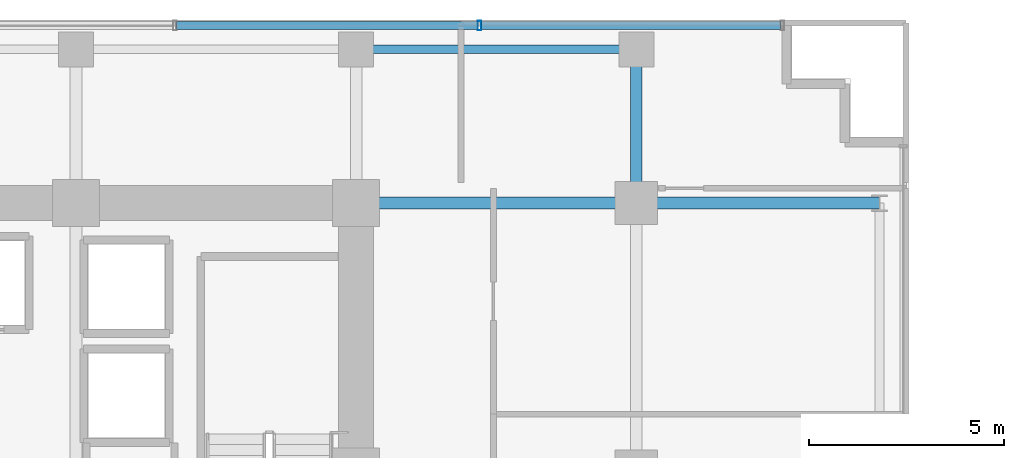
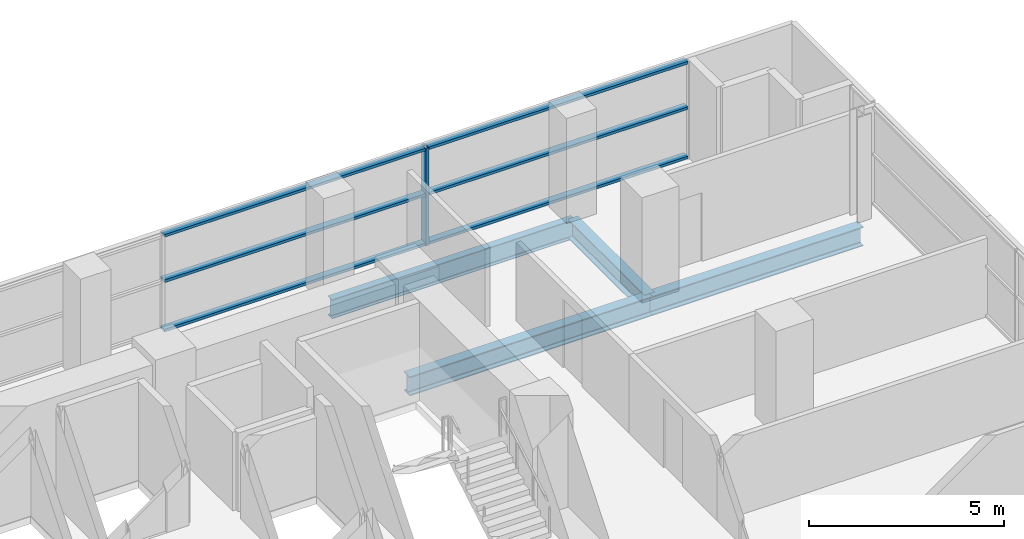
# One storey, part 19 of 30: 7 members, 4 beams, 1 element without a shape of its own.
"""IFC4 building model written with IfcOpenShell, lengths in metres."""

from ifc_helpers import new_model, si_unit, direction, frame, origin, origin_2d, place, context, subcontext, project, spatial, hollow_rectangle, i_section, extrude, source, transform, mapped, material, layer, layer_set, material_profile, profile_set, type_object, element, aggregate, save


model = new_model("IFC4")

# Units and contexts
model_context = context("Model", 3, precision=1e-05, world=origin(), true_north=direction((0.0, 1.0)))
body_context = subcontext(model_context, "Body", "Model", "MODEL_VIEW")
ifc_project = project(units=[si_unit("LENGTHUNIT", "METRE"), si_unit("AREAUNIT", "SQUARE_METRE"), si_unit("VOLUMEUNIT", "CUBIC_METRE"), si_unit("PLANEANGLEUNIT", "RADIAN"), si_unit("MASSUNIT", "GRAM", prefix="KILO")], contexts=[model_context])

# Site, building, storey
site_placement = place(None, origin())
site = spatial("IfcSite", under=ifc_project, at=site_placement, CompositionType="ELEMENT")
building_placement = place(site_placement, origin())
building = spatial("IfcBuilding", under=site, at=building_placement, Name="Zarnakvel Exchange Tower", CompositionType="ELEMENT")
storey_placement = place(building_placement, frame((0.0, 0.0, 43.89990234375)))
storey = spatial("IfcBuildingStorey", under=building, at=storey_placement, Name="L11", CompositionType="ELEMENT", Elevation=43.89990234375)

# Beams
ifc_material_1 = material(Name="Steel S355", Category="steel")
ifc_material_profile_1 = material_profile(ifc_material_1, i_section(OverallWidth=0.300048828125, OverallDepth=0.60009765625, WebThickness=0.015380859375, FlangeThickness=0.030029296875, FilletRadius=0.027099609375, at=origin_2d()))
ifc_profile_set_1 = profile_set([ifc_material_profile_1], Name="Steel S355")
beam_type_1 = type_object("IfcBeamType", Name="G-04", PredefinedType="BEAM", material=ifc_profile_set_1)
beam_1_placement = place(storey_placement, frame((14.39990234375, 13.5, -0.52490234375), z_axis=(1.0, 0.0, 0.0), x_axis=(0.0, 1.0, 0.0)))
element("IfcBeam", 1, at=beam_1_placement, inside=storey, type_object=beam_type_1, Name="L11 Tower E-W Frame Beam", PredefinedType="BEAM", context=body_context, shape_type="SweptSolid", body=[
    extrude(i_section(OverallWidth=0.300048828125, OverallDepth=0.60009765625, WebThickness=0.015380859375, FlangeThickness=0.030029296875, FilletRadius=0.027099609375, at=origin_2d()), origin(), (0.0, 0.0, 1.0), 7.2001953125),
])
beam_2_placement = place(storey_placement, frame((21.60009765625, 13.5, -0.52490234375), z_axis=(1.0, 0.0, 0.0), x_axis=(0.0, 1.0, 0.0)))
element("IfcBeam", 2, at=beam_2_placement, inside=storey, type_object=beam_type_1, Name="L11 Tower E-W Frame Beam", PredefinedType="BEAM", context=body_context, shape_type="SweptSolid", body=[
    extrude(i_section(OverallWidth=0.300048828125, OverallDepth=0.60009765625, WebThickness=0.015380859375, FlangeThickness=0.030029296875, FilletRadius=0.027099609375, at=origin_2d()), origin(), (0.0, 0.0, 1.0), 6.25),
])
beam_3_placement = place(storey_placement, frame((21.60009765625, 13.5, -0.52490234375), z_axis=(0.0, 1.0, 0.0), x_axis=(-1.0, 0.0, 0.0)))
element("IfcBeam", 3, at=beam_3_placement, inside=storey, type_object=beam_type_1, Name="L11 Tower N-S Frame Beam", PredefinedType="BEAM", context=body_context, shape_type="SweptSolid", body=[
    extrude(i_section(OverallWidth=0.300048828125, OverallDepth=0.60009765625, WebThickness=0.015380859375, FlangeThickness=0.030029296875, FilletRadius=0.027099609375, at=origin_2d()), origin(), (0.0, 0.0, 1.0), 3.949951171875),
])
ifc_material_profile_2 = material_profile(ifc_material_1, i_section(OverallWidth=0.219970703125, OverallDepth=0.60009765625, WebThickness=0.011962890625, FlangeThickness=0.01904296875, FilletRadius=0.02392578125, at=origin_2d()))
ifc_profile_set_2 = profile_set([ifc_material_profile_2], Name="Steel S355")
beam_type_2 = type_object("IfcBeamType", Name="SP-01", PredefinedType="SPANDREL", material=ifc_profile_set_2)
beam_4_placement = place(storey_placement, frame((14.39990234375, 17.449951171875, -0.52490234375), z_axis=(1.0, 0.0, 0.0), x_axis=(0.0, 1.0, 0.0)))
element("IfcBeam", 4, at=beam_4_placement, inside=storey, type_object=beam_type_2, Name="L11 Tower E-W Frame Beam", PredefinedType="SPANDREL", context=body_context, shape_type="SweptSolid", body=[
    extrude(i_section(OverallWidth=0.219970703125, OverallDepth=0.60009765625, WebThickness=0.011962890625, FlangeThickness=0.01904296875, FilletRadius=0.02392578125, at=origin_2d()), origin(), (0.0, 0.0, 1.0), 7.2001953125),
])

# Curtain wall, members
ifc_material_2 = material(Name="Architectural Bronze Anodised Aluminium", Category="aluminium")
ifc_layer = layer(ifc_material_2, 0.239990234375)
ifc_layer_set = layer_set([ifc_layer], Name="Architectural Bronze Anodised Aluminium")
curtain_wall_type = type_object("IfcCurtainWallType", Name="CW-02", PredefinedType="NOTDEFINED", material=ifc_layer_set)
curtain_wall_placement = place(storey_placement, origin())
curtain_wall = element("IfcCurtainWall", 5, at=curtain_wall_placement, inside=storey, type_object=curtain_wall_type, Name="L11 Curtain Wall CW-L11-N1 (CW-02)", PredefinedType="NOTDEFINED")
ifc_material_profile_3 = material_profile(ifc_material_2, hollow_rectangle(XDim=0.239990234375, YDim=0.090087890625, WallThickness=0.006103515625, at=origin_2d()))
ifc_profile_set_3 = profile_set([ifc_material_profile_3], Name="Architectural Bronze Anodised Aluminium")
member_type_1 = type_object("IfcMemberType", Name="CWM-02", PredefinedType="MULLION", material=ifc_profile_set_3)
shared_shape_1 = source(origin(), body_context, "Body", "SweptSolid", [
    extrude(hollow_rectangle(XDim=0.239990234375, YDim=0.090087890625, WallThickness=0.006103515625, at=origin_2d()), origin(), (0.0, 0.0, 1.0), 3.05517578125),
])
member_1_placement = place(storey_placement, frame((17.571533203125, 18.06005859375, 0.0), z_axis=(0.0, 0.0, 1.0), x_axis=(0.0, 1.0, 0.0)))
member_1 = element("IfcMember", 6, at=member_1_placement, type_object=member_type_1, Name="CW-02 mullion 7", PredefinedType="MULLION", context=body_context, shape_type="MappedRepresentation", body=[
    mapped(shared_shape_1, transform((0.0, 0.0, 0.0), x_axis=(1.0, 0.0, 0.0), y_axis=(0.0, 1.0, 0.0), z_axis=(0.0, 0.0, 1.0), scale=1.0)),
])
ifc_material_profile_4 = material_profile(ifc_material_2, hollow_rectangle(XDim=0.199951171875, YDim=0.0849609375, WallThickness=0.0048828125, at=origin_2d()))
ifc_profile_set_4 = profile_set([ifc_material_profile_4], Name="Architectural Bronze Anodised Aluminium")
member_type_2 = type_object("IfcMemberType", Name="CWT-02", PredefinedType="USERDEFINED", material=ifc_profile_set_4)
shared_shape_2 = source(origin(), body_context, "Body", "SweptSolid", [
    extrude(hollow_rectangle(XDim=0.199951171875, YDim=0.0849609375, WallThickness=0.0048828125, at=origin_2d()), origin(), (0.0, 0.0, 1.0), 7.693603515625),
])
member_2_placement = place(storey_placement, frame((17.616455078125, 18.06005859375, 0.04248046875), z_axis=(1.0, 0.0, 0.0), x_axis=(0.0, 1.0, 0.0)))
member_2 = element("IfcMember", 7, at=member_2_placement, type_object=member_type_2, Name="CW-02 transom 7.1", ObjectType="TRANSOM", PredefinedType="USERDEFINED", context=body_context, shape_type="MappedRepresentation", body=[
    mapped(shared_shape_2, transform((0.0, 0.0, 0.0), x_axis=(1.0, 0.0, 0.0), y_axis=(0.0, 1.0, 0.0), z_axis=(0.0, 0.0, 1.0), scale=1.0)),
])
member_3_placement = place(storey_placement, frame((17.616455078125, 18.06005859375, 1.588623046875), z_axis=(1.0, 0.0, 0.0), x_axis=(0.0, 1.0, 0.0)))
member_3 = element("IfcMember", 8, at=member_3_placement, type_object=member_type_2, Name="CW-02 transom 7.2", ObjectType="TRANSOM", PredefinedType="USERDEFINED", context=body_context, shape_type="MappedRepresentation", body=[
    mapped(shared_shape_2, transform((0.0, 0.0, 0.0), x_axis=(1.0, 0.0, 0.0), y_axis=(0.0, 1.0, 0.0), z_axis=(0.0, 0.0, 1.0), scale=1.0)),
])
member_4_placement = place(storey_placement, frame((17.616455078125, 18.06005859375, 3.0126953125), z_axis=(1.0, 0.0, 0.0), x_axis=(0.0, 1.0, 0.0)))
member_4 = element("IfcMember", 9, at=member_4_placement, type_object=member_type_2, Name="CW-02 transom 7.3", ObjectType="TRANSOM", PredefinedType="USERDEFINED", context=body_context, shape_type="MappedRepresentation", body=[
    mapped(shared_shape_2, transform((0.0, 0.0, 0.0), x_axis=(1.0, 0.0, 0.0), y_axis=(0.0, 1.0, 0.0), z_axis=(0.0, 0.0, 1.0), scale=1.0)),
])
shared_shape_3 = source(origin(), body_context, "Body", "SweptSolid", [
    extrude(hollow_rectangle(XDim=0.199951171875, YDim=0.0849609375, WallThickness=0.0048828125, at=origin_2d()), origin(), (0.0, 0.0, 1.0), 7.738525390625),
])
member_5_placement = place(storey_placement, frame((9.787841796875, 18.06005859375, 0.04248046875), z_axis=(1.0, 0.0, 0.0), x_axis=(0.0, 1.0, 0.0)))
member_5 = element("IfcMember", 10, at=member_5_placement, type_object=member_type_2, Name="CW-02 transom 6.1", ObjectType="TRANSOM", PredefinedType="USERDEFINED", context=body_context, shape_type="MappedRepresentation", body=[
    mapped(shared_shape_3, transform((0.0, 0.0, 0.0), x_axis=(1.0, 0.0, 0.0), y_axis=(0.0, 1.0, 0.0), z_axis=(0.0, 0.0, 1.0), scale=1.0)),
])
member_6_placement = place(storey_placement, frame((9.787841796875, 18.06005859375, 1.588623046875), z_axis=(1.0, 0.0, 0.0), x_axis=(0.0, 1.0, 0.0)))
member_6 = element("IfcMember", 11, at=member_6_placement, type_object=member_type_2, Name="CW-02 transom 6.2", ObjectType="TRANSOM", PredefinedType="USERDEFINED", context=body_context, shape_type="MappedRepresentation", body=[
    mapped(shared_shape_3, transform((0.0, 0.0, 0.0), x_axis=(1.0, 0.0, 0.0), y_axis=(0.0, 1.0, 0.0), z_axis=(0.0, 0.0, 1.0), scale=1.0)),
])
member_7_placement = place(storey_placement, frame((9.787841796875, 18.06005859375, 3.0126953125), z_axis=(1.0, 0.0, 0.0), x_axis=(0.0, 1.0, 0.0)))
member_7 = element("IfcMember", 12, at=member_7_placement, type_object=member_type_2, Name="CW-02 transom 6.3", ObjectType="TRANSOM", PredefinedType="USERDEFINED", context=body_context, shape_type="MappedRepresentation", body=[
    mapped(shared_shape_3, transform((0.0, 0.0, 0.0), x_axis=(1.0, 0.0, 0.0), y_axis=(0.0, 1.0, 0.0), z_axis=(0.0, 0.0, 1.0), scale=1.0)),
])
aggregate(curtain_wall, [member_1, member_5, member_6, member_7, member_2, member_3, member_4])

save(model, "model.ifc")
